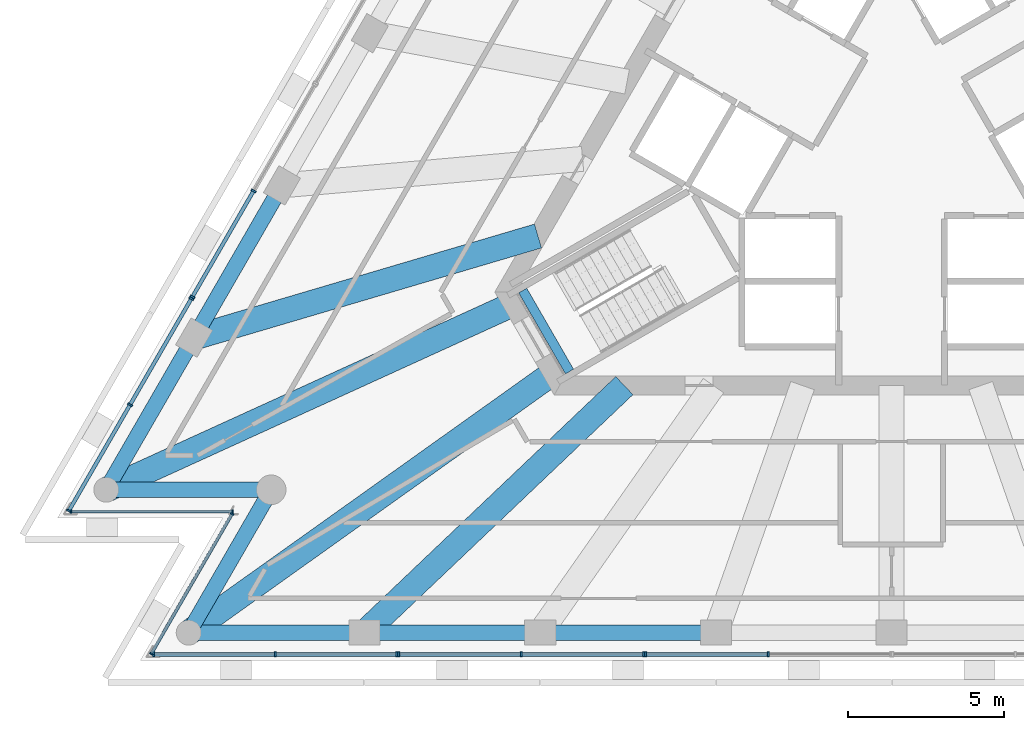
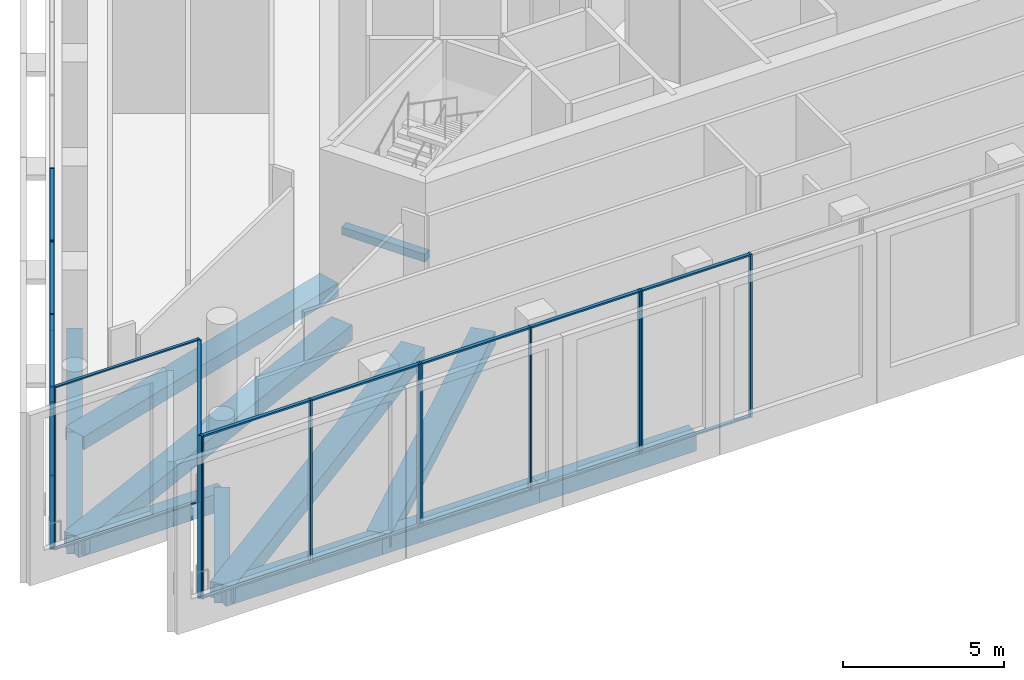
# One storey, part 2 of 16: 37 members, 12 beams, 7 elements without a shape of their own.
"""IFC4 building model written with IfcOpenShell, lengths in metres."""

from ifc_helpers import new_model, si_unit, direction, frame, origin, origin_2d, place, context, subcontext, project, spatial, rectangle, extrude, material, layer, layer_set, material_profile, profile_set, type_object, element, aggregate, save


model = new_model("IFC4")

# Units and contexts
model_context = context("Model", 3, precision=1e-05, world=origin(), true_north=direction((0.0, 1.0)))
body_context = subcontext(model_context, "Body", "Model", "MODEL_VIEW")
ifc_project = project(units=[si_unit("LENGTHUNIT", "METRE"), si_unit("AREAUNIT", "SQUARE_METRE"), si_unit("VOLUMEUNIT", "CUBIC_METRE"), si_unit("PLANEANGLEUNIT", "RADIAN"), si_unit("MASSUNIT", "GRAM", prefix="KILO")], contexts=[model_context])

# Site, building, storey
site_placement = place(None, origin())
site = spatial("IfcSite", under=ifc_project, at=site_placement, CompositionType="ELEMENT")
building_placement = place(site_placement, origin())
building = spatial("IfcBuilding", under=site, at=building_placement, Name="Triada Interchange Tower", CompositionType="ELEMENT")
storey_placement = place(building_placement, frame((0.0, 0.0, 261.800048828125)))
storey = spatial("IfcBuildingStorey", under=building, at=storey_placement, Name="L61", CompositionType="ELEMENT", Elevation=261.800048828125)

# Beam
ifc_material_1 = material(Name="Concrete C35/45", Category="concrete")
ifc_material_profile_1 = material_profile(ifc_material_1, rectangle(XDim=0.300048828125, YDim=0.300048828125, at=origin_2d()), Name="RC 300x300")
ifc_profile_set_1 = profile_set([ifc_material_profile_1], Name="Concrete C35/45")
beam_type_1 = type_object("IfcBeamType", Name="Landing support beam RC 300x300", PredefinedType="BEAM", material=ifc_profile_set_1)
beam_1_placement = place(storey_placement, frame((-11.8349609375, -5.10107421875, 2.82080078125), z_axis=(0.50002537861, -0.866010750942, 0.0), x_axis=(0.866010750942, 0.50002537861, 0.0)))
element("IfcBeam", 1, at=beam_1_placement, inside=storey, type_object=beam_type_1, Name="Landing support beam S61-2 1", PredefinedType="BEAM", context=body_context, shape_type="SweptSolid", body=[
    extrude(rectangle(XDim=0.300048828125, YDim=0.300048828125, at=origin_2d()), origin(), (0.0, 0.0, 1.0), 2.999755859375),
])

# Curtain wall, members
ifc_material_2 = material(Name="Aluminium framed glazing", Category="aluminium")
ifc_layer_1 = layer(ifc_material_2, 0.199951171875)
ifc_layer_set_1 = layer_set([ifc_layer_1], Name="Curtain wall Sky lobby glazing")
curtain_wall_type_1 = type_object("IfcCurtainWallType", Name="Curtain wall Sky lobby glazing", PredefinedType="NOTDEFINED", material=ifc_layer_set_1)
curtain_wall_1_placement = place(storey_placement, origin())
curtain_wall_1 = element("IfcCurtainWall", 2, at=curtain_wall_1_placement, inside=storey, type_object=curtain_wall_type_1, Name="Sky lobby glazing CW205 L61", PredefinedType="NOTDEFINED")
ifc_material_3 = material(Name="Aluminium", Category="aluminium")
ifc_material_profile_2 = material_profile(ifc_material_3, rectangle(XDim=0.159912109375, YDim=0.06005859375, at=origin_2d()), Name="Aluminium mullion")
ifc_profile_set_2 = profile_set([ifc_material_profile_2], Name="Aluminium")
member_type_1 = type_object("IfcMemberType", Name="Mullion Sky lobby glazing 160x60", PredefinedType="MULLION", material=ifc_profile_set_2)
member_1_placement = place(storey_placement, frame((-20.469482421875, -1.902099609375, 0.0), z_axis=(0.0, 0.0, 1.0), x_axis=(0.866080351938, -0.499904814926, 0.0)))
member_1 = element("IfcMember", 3, at=member_1_placement, type_object=member_type_1, Name="CW205 mullion 2", PredefinedType="MULLION", context=body_context, shape_type="SweptSolid", body=[
    extrude(rectangle(XDim=0.159912109375, YDim=0.06005859375, at=origin_2d()), origin(), (0.0, 0.0, 1.0), 6.199951171875),
])
member_2_placement = place(storey_placement, frame((-22.431884765625, -5.302001953125, 0.0), z_axis=(0.0, 0.0, 1.0), x_axis=(0.866080351938, -0.499904814926, 0.0)))
member_2 = element("IfcMember", 4, at=member_2_placement, type_object=member_type_1, Name="CW205 mullion 3", PredefinedType="MULLION", context=body_context, shape_type="SweptSolid", body=[
    extrude(rectangle(XDim=0.159912109375, YDim=0.06005859375, at=origin_2d()), origin(), (0.0, 0.0, 1.0), 6.199951171875),
])

curtain_wall_2_placement = place(storey_placement, origin())
curtain_wall_2 = element("IfcCurtainWall", 5, at=curtain_wall_2_placement, inside=storey, type_object=curtain_wall_type_1, Name="Sky lobby glazing CW206 L61", PredefinedType="NOTDEFINED")
member_3_placement = place(storey_placement, frame((-22.467041015625, -5.362060546875, 0.0), z_axis=(0.0, 0.0, 1.0), x_axis=(0.865987850767, -0.500065038095, 0.0)))
member_3 = element("IfcMember", 6, at=member_3_placement, type_object=member_type_1, Name="CW206 mullion 1", PredefinedType="MULLION", context=body_context, shape_type="SweptSolid", body=[
    extrude(rectangle(XDim=0.159912109375, YDim=0.06005859375, at=origin_2d()), origin(), (0.0, 0.0, 1.0), 6.199951171875),
])
member_4_placement = place(storey_placement, frame((-24.431396484375, -8.763916015625, 0.0), z_axis=(0.0, 0.0, 1.0), x_axis=(0.865987850767, -0.500065038095, 0.0)))
member_4 = element("IfcMember", 7, at=member_4_placement, type_object=member_type_1, Name="CW206 mullion 2", PredefinedType="MULLION", context=body_context, shape_type="SweptSolid", body=[
    extrude(rectangle(XDim=0.159912109375, YDim=0.06005859375, at=origin_2d()), origin(), (0.0, 0.0, 1.0), 6.199951171875),
])
member_5_placement = place(storey_placement, frame((-26.39599609375, -12.166015625, 0.0), z_axis=(0.0, 0.0, 1.0), x_axis=(0.865987850767, -0.500065038095, 0.0)))
member_5 = element("IfcMember", 8, at=member_5_placement, type_object=member_type_1, Name="CW206 mullion 3", PredefinedType="MULLION", context=body_context, shape_type="SweptSolid", body=[
    extrude(rectangle(XDim=0.159912109375, YDim=0.06005859375, at=origin_2d()), origin(), (0.0, 0.0, 1.0), 6.199951171875),
])

curtain_wall_3_placement = place(storey_placement, origin())
curtain_wall_3 = element("IfcCurtainWall", 9, at=curtain_wall_3_placement, inside=storey, type_object=curtain_wall_type_1, Name="Sky lobby glazing CW209 L61", PredefinedType="NOTDEFINED")
member_6_placement = place(storey_placement, frame((-23.675048828125, -16.77587890625, 0.0), z_axis=(0.0, 0.0, 1.0), x_axis=(0.0, 1.0, 0.0)))
member_6 = element("IfcMember", 10, at=member_6_placement, type_object=member_type_1, Name="CW209 mullion 1", PredefinedType="MULLION", context=body_context, shape_type="SweptSolid", body=[
    extrude(rectangle(XDim=0.159912109375, YDim=0.06005859375, at=origin_2d()), origin(), (0.0, 0.0, 1.0), 6.199951171875),
])
member_7_placement = place(storey_placement, frame((-19.776611328125, -16.77587890625, 0.0), z_axis=(0.0, 0.0, 1.0), x_axis=(0.0, 1.0, 0.0)))
member_7 = element("IfcMember", 11, at=member_7_placement, type_object=member_type_1, Name="CW209 mullion 2", PredefinedType="MULLION", context=body_context, shape_type="SweptSolid", body=[
    extrude(rectangle(XDim=0.159912109375, YDim=0.06005859375, at=origin_2d()), origin(), (0.0, 0.0, 1.0), 6.199951171875),
])
member_8_placement = place(storey_placement, frame((-15.8779296875, -16.77587890625, 0.0), z_axis=(0.0, 0.0, 1.0), x_axis=(0.0, 1.0, 0.0)))
member_8 = element("IfcMember", 12, at=member_8_placement, type_object=member_type_1, Name="CW209 mullion 3", PredefinedType="MULLION", context=body_context, shape_type="SweptSolid", body=[
    extrude(rectangle(XDim=0.159912109375, YDim=0.06005859375, at=origin_2d()), origin(), (0.0, 0.0, 1.0), 6.199951171875),
])

curtain_wall_4_placement = place(storey_placement, origin())
curtain_wall_4 = element("IfcCurtainWall", 13, at=curtain_wall_4_placement, inside=storey, type_object=curtain_wall_type_1, Name="Sky lobby glazing CW210 L61", PredefinedType="NOTDEFINED")
member_9_placement = place(storey_placement, frame((-15.80810546875, -16.77587890625, 0.0), z_axis=(0.0, 0.0, 1.0), x_axis=(0.0, 1.0, 0.0)))
member_9 = element("IfcMember", 14, at=member_9_placement, type_object=member_type_1, Name="CW210 mullion 1", PredefinedType="MULLION", context=body_context, shape_type="SweptSolid", body=[
    extrude(rectangle(XDim=0.159912109375, YDim=0.06005859375, at=origin_2d()), origin(), (0.0, 0.0, 1.0), 6.199951171875),
])
member_10_placement = place(storey_placement, frame((-11.882568359375, -16.77587890625, 0.0), z_axis=(0.0, 0.0, 1.0), x_axis=(0.0, 1.0, 0.0)))
member_10 = element("IfcMember", 15, at=member_10_placement, type_object=member_type_1, Name="CW210 mullion 2", PredefinedType="MULLION", context=body_context, shape_type="SweptSolid", body=[
    extrude(rectangle(XDim=0.159912109375, YDim=0.06005859375, at=origin_2d()), origin(), (0.0, 0.0, 1.0), 6.199951171875),
])
member_11_placement = place(storey_placement, frame((-7.95703125, -16.77587890625, 0.0), z_axis=(0.0, 0.0, 1.0), x_axis=(0.0, 1.0, 0.0)))
member_11 = element("IfcMember", 16, at=member_11_placement, type_object=member_type_1, Name="CW210 mullion 3", PredefinedType="MULLION", context=body_context, shape_type="SweptSolid", body=[
    extrude(rectangle(XDim=0.159912109375, YDim=0.06005859375, at=origin_2d()), origin(), (0.0, 0.0, 1.0), 6.199951171875),
])

curtain_wall_5_placement = place(storey_placement, origin())
curtain_wall_5 = element("IfcCurtainWall", 17, at=curtain_wall_5_placement, inside=storey, type_object=curtain_wall_type_1, Name="Sky lobby glazing CW211 L61", PredefinedType="NOTDEFINED")
member_12_placement = place(storey_placement, frame((-7.886962890625, -16.77587890625, 0.0), z_axis=(0.0, 0.0, 1.0), x_axis=(0.0, 1.0, 0.0)))
member_12 = element("IfcMember", 18, at=member_12_placement, type_object=member_type_1, Name="CW211 mullion 1", PredefinedType="MULLION", context=body_context, shape_type="SweptSolid", body=[
    extrude(rectangle(XDim=0.159912109375, YDim=0.06005859375, at=origin_2d()), origin(), (0.0, 0.0, 1.0), 6.199951171875),
])
member_13_placement = place(storey_placement, frame((-3.9609375, -16.77587890625, 0.0), z_axis=(0.0, 0.0, 1.0), x_axis=(0.0, 1.0, 0.0)))
member_13 = element("IfcMember", 19, at=member_13_placement, type_object=member_type_1, Name="CW211 mullion 2", PredefinedType="MULLION", context=body_context, shape_type="SweptSolid", body=[
    extrude(rectangle(XDim=0.159912109375, YDim=0.06005859375, at=origin_2d()), origin(), (0.0, 0.0, 1.0), 6.199951171875),
])

ifc_layer_2 = layer(ifc_material_2, 0.199951171875)
ifc_layer_set_2 = layer_set([ifc_layer_2], Name="Curtain wall Winter garden glazing")
curtain_wall_type_2 = type_object("IfcCurtainWallType", Name="Curtain wall Winter garden glazing", PredefinedType="NOTDEFINED", material=ifc_layer_set_2)
curtain_wall_6_placement = place(storey_placement, origin())
curtain_wall_6 = element("IfcCurtainWall", 20, at=curtain_wall_6_placement, inside=storey, type_object=curtain_wall_type_2, Name="Winter garden glazing CW207 L61", PredefinedType="NOTDEFINED")
ifc_material_profile_3 = material_profile(ifc_material_3, rectangle(XDim=0.1201171875, YDim=0.050048828125, at=origin_2d()), Name="Aluminium mullion")
ifc_profile_set_3 = profile_set([ifc_material_profile_3], Name="Aluminium")
member_type_2 = type_object("IfcMemberType", Name="Mullion Winter garden glazing 120x50", PredefinedType="MULLION", material=ifc_profile_set_3)
member_14_placement = place(storey_placement, frame((-26.325927734375, -12.19189453125, 0.0), z_axis=(0.0, 0.0, 1.0), x_axis=(0.0, 1.0, 0.0)))
member_14 = element("IfcMember", 21, at=member_14_placement, type_object=member_type_2, Name="CW207 mullion 1", PredefinedType="MULLION", context=body_context, shape_type="SweptSolid", body=[
    extrude(rectangle(XDim=0.1201171875, YDim=0.050048828125, at=origin_2d()), origin(), (0.0, 0.0, 1.0), 6.199951171875),
])
member_15_placement = place(storey_placement, frame((-21.14306640625, -12.19189453125, 0.0), z_axis=(0.0, 0.0, 1.0), x_axis=(0.0, 1.0, 0.0)))
member_15 = element("IfcMember", 22, at=member_15_placement, type_object=member_type_2, Name="CW207 mullion 2", PredefinedType="MULLION", context=body_context, shape_type="SweptSolid", body=[
    extrude(rectangle(XDim=0.1201171875, YDim=0.050048828125, at=origin_2d()), origin(), (0.0, 0.0, 1.0), 6.199951171875),
])

curtain_wall_7_placement = place(storey_placement, origin())
curtain_wall_7 = element("IfcCurtainWall", 23, at=curtain_wall_7_placement, inside=storey, type_object=curtain_wall_type_2, Name="Winter garden glazing CW208 L61", PredefinedType="NOTDEFINED")
member_16_placement = place(storey_placement, frame((-21.160400390625, -12.265625, 0.0), z_axis=(0.0, 0.0, 1.0), x_axis=(0.86598828527, -0.500064285642, 0.0)))
member_16 = element("IfcMember", 24, at=member_16_placement, type_object=member_type_2, Name="CW208 mullion 1", PredefinedType="MULLION", context=body_context, shape_type="SweptSolid", body=[
    extrude(rectangle(XDim=0.1201171875, YDim=0.050048828125, at=origin_2d()), origin(), (0.0, 0.0, 1.0), 6.199951171875),
])
member_17_placement = place(storey_placement, frame((-23.75244140625, -16.75439453125, 0.0), z_axis=(0.0, 0.0, 1.0), x_axis=(0.86598828527, -0.500064285642, 0.0)))
member_17 = element("IfcMember", 25, at=member_17_placement, type_object=member_type_2, Name="CW208 mullion 2", PredefinedType="MULLION", context=body_context, shape_type="SweptSolid", body=[
    extrude(rectangle(XDim=0.1201171875, YDim=0.050048828125, at=origin_2d()), origin(), (0.0, 0.0, 1.0), 6.199951171875),
])

# Beams
ifc_material_4 = material(Name="Concrete C50/60", Category="concrete")
ifc_material_profile_4 = material_profile(ifc_material_4, rectangle(XDim=0.800048828125, YDim=0.5, at=origin_2d()), Name="RC 800x500")
ifc_profile_set_4 = profile_set([ifc_material_profile_4], Name="Concrete C50/60")
beam_type_2 = type_object("IfcBeamType", Name="Radial band beam D RC 800x500", PredefinedType="BEAM", material=ifc_profile_set_4)
beam_2_placement = place(storey_placement, frame((-22.37890625, -6.610107421875, -0.550048828125), z_axis=(0.959041162781, 0.28326674371, 0.0), x_axis=(-0.28326674371, 0.959041162781, 0.0)))
element("IfcBeam", 26, at=beam_2_placement, inside=storey, type_object=beam_type_2, Name="Radial band beam BD08 L61", PredefinedType="BEAM", context=body_context, shape_type="SweptSolid", body=[
    extrude(rectangle(XDim=0.800048828125, YDim=0.5, at=origin_2d()), origin(), (0.0, 0.0, 1.0), 11.505126953125),
])
beam_3_placement = place(storey_placement, frame((-16.9140625, -16.075927734375, -0.550048828125), z_axis=(0.724831459907, 0.688926233155, 0.0), x_axis=(-0.688926233155, 0.724831459907, 0.0)))
element("IfcBeam", 27, at=beam_3_placement, inside=storey, type_object=beam_type_2, Name="Radial band beam BD12 L61", PredefinedType="BEAM", context=body_context, shape_type="SweptSolid", body=[
    extrude(rectangle(XDim=0.800048828125, YDim=0.5, at=origin_2d()), origin(), (0.0, 0.0, 1.0), 11.5048828125),
])
ifc_material_profile_5 = material_profile(ifc_material_4, rectangle(XDim=0.800048828125, YDim=0.60009765625, at=origin_2d()), Name="RC 800x600")
ifc_profile_set_5 = profile_set([ifc_material_profile_5], Name="Concrete C50/60")
beam_type_3 = type_object("IfcBeamType", Name="Radial band beam D RC 800x600", PredefinedType="BEAM", material=ifc_profile_set_5)
beam_4_placement = place(storey_placement, frame((-25.197998046875, -11.491943359375, -0.60009765625), z_axis=(0.909844882968, 0.414948537697, 0.0), x_axis=(-0.414948537697, 0.909844882968, 0.0)))
element("IfcBeam", 28, at=beam_4_placement, inside=storey, type_object=beam_type_3, Name="Radial band beam BD09 L61", PredefinedType="BEAM", context=body_context, shape_type="SweptSolid", body=[
    extrude(rectangle(XDim=0.800048828125, YDim=0.60009765625, at=origin_2d()), origin(), (0.0, 0.0, 1.0), 14.334228515625),
])
beam_5_placement = place(storey_placement, frame((-22.552001953125, -16.075927734375, -0.60009765625), z_axis=(0.814307345877, 0.580433929444, 0.0), x_axis=(-0.580433929444, 0.814307345877, 0.0)))
element("IfcBeam", 29, at=beam_5_placement, inside=storey, type_object=beam_type_3, Name="Radial band beam BD11 L61", PredefinedType="BEAM", context=body_context, shape_type="SweptSolid", body=[
    extrude(rectangle(XDim=0.800048828125, YDim=0.60009765625, at=origin_2d()), origin(), (0.0, 0.0, 1.0), 14.333740234375),
])
ifc_material_profile_6 = material_profile(ifc_material_4, rectangle(XDim=0.5, YDim=0.699951171875, at=origin_2d()), Name="RC 500x700")
ifc_profile_set_6 = profile_set([ifc_material_profile_6], Name="Concrete C50/60")
beam_type_4 = type_object("IfcBeamType", Name="Spandrel beam D RC 500x700", PredefinedType="BEAM", material=ifc_profile_set_6)
beam_6_placement = place(storey_placement, frame((-19.56005859375, -1.72705078125, -0.650146484375), z_axis=(-0.499948599132, -0.866055078056, 0.0), x_axis=(0.866055078056, -0.499948599132, 0.0)))
element("IfcBeam", 30, at=beam_6_placement, inside=storey, type_object=beam_type_4, Name="Spandrel beam ED07 L61", PredefinedType="BEAM", context=body_context, shape_type="SweptSolid", body=[
    extrude(rectangle(XDim=0.5, YDim=0.699951171875, at=origin_2d()), origin(), (0.0, 0.0, 1.0), 5.63818359375),
])
beam_7_placement = place(storey_placement, frame((-22.37890625, -6.610107421875, -0.650146484375), z_axis=(-0.500074834523, -0.865982193741, 0.0), x_axis=(0.865982193741, -0.500074834523, 0.0)))
element("IfcBeam", 31, at=beam_7_placement, inside=storey, type_object=beam_type_4, Name="Spandrel beam ED08 L61", PredefinedType="BEAM", context=body_context, shape_type="SweptSolid", body=[
    extrude(rectangle(XDim=0.5, YDim=0.699951171875, at=origin_2d()), origin(), (0.0, 0.0, 1.0), 5.637451171875),
])
beam_8_placement = place(storey_placement, frame((-25.197998046875, -11.491943359375, -0.650146484375), z_axis=(1.0, 0.0, 0.0), x_axis=(0.0, 1.0, 0.0)))
element("IfcBeam", 32, at=beam_8_placement, inside=storey, type_object=beam_type_4, Name="Spandrel beam ED09 L61", PredefinedType="BEAM", context=body_context, shape_type="SweptSolid", body=[
    extrude(rectangle(XDim=0.5, YDim=0.699951171875, at=origin_2d()), origin(), (0.0, 0.0, 1.0), 5.29296875),
])
beam_9_placement = place(storey_placement, frame((-19.905029296875, -11.491943359375, -0.650146484375), z_axis=(-0.500057813598, -0.865992022515, 0.0), x_axis=(0.865992022515, -0.500057813598, 0.0)))
element("IfcBeam", 33, at=beam_9_placement, inside=storey, type_object=beam_type_4, Name="Spandrel beam ED10 L61", PredefinedType="BEAM", context=body_context, shape_type="SweptSolid", body=[
    extrude(rectangle(XDim=0.5, YDim=0.699951171875, at=origin_2d()), origin(), (0.0, 0.0, 1.0), 5.293212890625),
])
beam_10_placement = place(storey_placement, frame((-22.552001953125, -16.075927734375, -0.650146484375), z_axis=(1.0, 0.0, 0.0), x_axis=(0.0, 1.0, 0.0)))
element("IfcBeam", 34, at=beam_10_placement, inside=storey, type_object=beam_type_4, Name="Spandrel beam ED11 L61", PredefinedType="BEAM", context=body_context, shape_type="SweptSolid", body=[
    extrude(rectangle(XDim=0.5, YDim=0.699951171875, at=origin_2d()), origin(), (0.0, 0.0, 1.0), 5.637939453125),
])
beam_11_placement = place(storey_placement, frame((-16.9140625, -16.075927734375, -0.650146484375), z_axis=(1.0, 0.0, 0.0), x_axis=(0.0, 1.0, 0.0)))
element("IfcBeam", 35, at=beam_11_placement, inside=storey, type_object=beam_type_4, Name="Spandrel beam ED12 L61", PredefinedType="BEAM", context=body_context, shape_type="SweptSolid", body=[
    extrude(rectangle(XDim=0.5, YDim=0.699951171875, at=origin_2d()), origin(), (0.0, 0.0, 1.0), 5.63818359375),
])
beam_12_placement = place(storey_placement, frame((-11.27587890625, -16.075927734375, -0.650146484375), z_axis=(1.0, 0.0, 0.0), x_axis=(0.0, 1.0, 0.0)))
element("IfcBeam", 36, at=beam_12_placement, inside=storey, type_object=beam_type_4, Name="Spandrel beam ED13 L61", PredefinedType="BEAM", context=body_context, shape_type="SweptSolid", body=[
    extrude(rectangle(XDim=0.5, YDim=0.699951171875, at=origin_2d()), origin(), (0.0, 0.0, 1.0), 5.637939453125),
])

# Member
ifc_material_profile_7 = material_profile(ifc_material_3, rectangle(XDim=0.1201171875, YDim=0.06005859375, at=origin_2d()), Name="Aluminium transom")
ifc_profile_set_7 = profile_set([ifc_material_profile_7], Name="Aluminium")
member_type_3 = type_object("IfcMemberType", Name="Transom Sky lobby glazing 120x60", PredefinedType="USERDEFINED", material=ifc_profile_set_7)
member_18_placement = place(storey_placement, frame((-20.484619140625, -1.927978515625, 0.030029296875), z_axis=(-0.499868241592, -0.866101461174, 0.0), x_axis=(0.866101461174, -0.499868241592, 0.0)))
member_18 = element("IfcMember", 37, at=member_18_placement, type_object=member_type_3, Name="CW205 transom 2.1", ObjectType="TRANSOM", PredefinedType="USERDEFINED", context=body_context, shape_type="SweptSolid", body=[
    extrude(rectangle(XDim=0.1201171875, YDim=0.06005859375, at=origin_2d()), origin(), (0.0, 0.0, 1.0), 3.86572265625),
])

member_19_placement = place(storey_placement, frame((-20.484619140625, -1.927978515625, 6.169921875), z_axis=(-0.499868241592, -0.866101461174, 0.0), x_axis=(0.866101461174, -0.499868241592, 0.0)))
member_19 = element("IfcMember", 38, at=member_19_placement, type_object=member_type_3, Name="CW205 transom 2.2", ObjectType="TRANSOM", PredefinedType="USERDEFINED", context=body_context, shape_type="SweptSolid", body=[
    extrude(rectangle(XDim=0.1201171875, YDim=0.06005859375, at=origin_2d()), origin(), (0.0, 0.0, 1.0), 3.86572265625),
])

aggregate(curtain_wall_1, [member_1, member_2, member_18, member_19])

member_20_placement = place(storey_placement, frame((-22.48193359375, -5.387939453125, 0.030029296875), z_axis=(-0.500075710248, -0.86598168804, 0.0), x_axis=(0.86598168804, -0.500075710248, 0.0)))
member_20 = element("IfcMember", 39, at=member_20_placement, type_object=member_type_3, Name="CW206 transom 1.1", ObjectType="TRANSOM", PredefinedType="USERDEFINED", context=body_context, shape_type="SweptSolid", body=[
    extrude(rectangle(XDim=0.1201171875, YDim=0.06005859375, at=origin_2d()), origin(), (0.0, 0.0, 1.0), 3.86865234375),
])

member_21_placement = place(storey_placement, frame((-22.48193359375, -5.387939453125, 6.169921875), z_axis=(-0.500075710248, -0.86598168804, 0.0), x_axis=(0.86598168804, -0.500075710248, 0.0)))
member_21 = element("IfcMember", 40, at=member_21_placement, type_object=member_type_3, Name="CW206 transom 1.2", ObjectType="TRANSOM", PredefinedType="USERDEFINED", context=body_context, shape_type="SweptSolid", body=[
    extrude(rectangle(XDim=0.1201171875, YDim=0.06005859375, at=origin_2d()), origin(), (0.0, 0.0, 1.0), 3.86865234375),
])

member_22_placement = place(storey_placement, frame((-24.446533203125, -8.7900390625, 0.030029296875), z_axis=(-0.500075710248, -0.86598168804, 0.0), x_axis=(0.86598168804, -0.500075710248, 0.0)))
member_22 = element("IfcMember", 41, at=member_22_placement, type_object=member_type_3, Name="CW206 transom 2.1", ObjectType="TRANSOM", PredefinedType="USERDEFINED", context=body_context, shape_type="SweptSolid", body=[
    extrude(rectangle(XDim=0.1201171875, YDim=0.06005859375, at=origin_2d()), origin(), (0.0, 0.0, 1.0), 3.86865234375),
])

member_23_placement = place(storey_placement, frame((-24.446533203125, -8.7900390625, 6.169921875), z_axis=(-0.500075710248, -0.86598168804, 0.0), x_axis=(0.86598168804, -0.500075710248, 0.0)))
member_23 = element("IfcMember", 42, at=member_23_placement, type_object=member_type_3, Name="CW206 transom 2.2", ObjectType="TRANSOM", PredefinedType="USERDEFINED", context=body_context, shape_type="SweptSolid", body=[
    extrude(rectangle(XDim=0.1201171875, YDim=0.06005859375, at=origin_2d()), origin(), (0.0, 0.0, 1.0), 3.86865234375),
])

aggregate(curtain_wall_2, [member_3, member_4, member_5, member_20, member_21, member_22, member_23])

member_24_placement = place(storey_placement, frame((-23.64501953125, -16.77587890625, 0.030029296875), z_axis=(1.0, 0.0, 0.0), x_axis=(0.0, 1.0, 0.0)))
member_24 = element("IfcMember", 43, at=member_24_placement, type_object=member_type_3, Name="CW209 transom 1.1", ObjectType="TRANSOM", PredefinedType="USERDEFINED", context=body_context, shape_type="SweptSolid", body=[
    extrude(rectangle(XDim=0.1201171875, YDim=0.06005859375, at=origin_2d()), origin(), (0.0, 0.0, 1.0), 3.838623046875),
])

member_25_placement = place(storey_placement, frame((-23.64501953125, -16.77587890625, 6.169921875), z_axis=(1.0, 0.0, 0.0), x_axis=(0.0, 1.0, 0.0)))
member_25 = element("IfcMember", 44, at=member_25_placement, type_object=member_type_3, Name="CW209 transom 1.2", ObjectType="TRANSOM", PredefinedType="USERDEFINED", context=body_context, shape_type="SweptSolid", body=[
    extrude(rectangle(XDim=0.1201171875, YDim=0.06005859375, at=origin_2d()), origin(), (0.0, 0.0, 1.0), 3.838623046875),
])

member_26_placement = place(storey_placement, frame((-19.74658203125, -16.77587890625, 0.030029296875), z_axis=(1.0, 0.0, 0.0), x_axis=(0.0, 1.0, 0.0)))
member_26 = element("IfcMember", 45, at=member_26_placement, type_object=member_type_3, Name="CW209 transom 2.1", ObjectType="TRANSOM", PredefinedType="USERDEFINED", context=body_context, shape_type="SweptSolid", body=[
    extrude(rectangle(XDim=0.1201171875, YDim=0.06005859375, at=origin_2d()), origin(), (0.0, 0.0, 1.0), 3.838623046875),
])

member_27_placement = place(storey_placement, frame((-19.74658203125, -16.77587890625, 6.169921875), z_axis=(1.0, 0.0, 0.0), x_axis=(0.0, 1.0, 0.0)))
member_27 = element("IfcMember", 46, at=member_27_placement, type_object=member_type_3, Name="CW209 transom 2.2", ObjectType="TRANSOM", PredefinedType="USERDEFINED", context=body_context, shape_type="SweptSolid", body=[
    extrude(rectangle(XDim=0.1201171875, YDim=0.06005859375, at=origin_2d()), origin(), (0.0, 0.0, 1.0), 3.838623046875),
])

aggregate(curtain_wall_3, [member_6, member_7, member_8, member_24, member_25, member_26, member_27])

member_28_placement = place(storey_placement, frame((-15.778076171875, -16.77587890625, 0.030029296875), z_axis=(1.0, 0.0, 0.0), x_axis=(0.0, 1.0, 0.0)))
member_28 = element("IfcMember", 47, at=member_28_placement, type_object=member_type_3, Name="CW210 transom 1.1", ObjectType="TRANSOM", PredefinedType="USERDEFINED", context=body_context, shape_type="SweptSolid", body=[
    extrude(rectangle(XDim=0.1201171875, YDim=0.06005859375, at=origin_2d()), origin(), (0.0, 0.0, 1.0), 3.865478515625),
])

member_29_placement = place(storey_placement, frame((-15.778076171875, -16.77587890625, 6.169921875), z_axis=(1.0, 0.0, 0.0), x_axis=(0.0, 1.0, 0.0)))
member_29 = element("IfcMember", 48, at=member_29_placement, type_object=member_type_3, Name="CW210 transom 1.2", ObjectType="TRANSOM", PredefinedType="USERDEFINED", context=body_context, shape_type="SweptSolid", body=[
    extrude(rectangle(XDim=0.1201171875, YDim=0.06005859375, at=origin_2d()), origin(), (0.0, 0.0, 1.0), 3.865478515625),
])

member_30_placement = place(storey_placement, frame((-11.8525390625, -16.77587890625, 0.030029296875), z_axis=(1.0, 0.0, 0.0), x_axis=(0.0, 1.0, 0.0)))
member_30 = element("IfcMember", 49, at=member_30_placement, type_object=member_type_3, Name="CW210 transom 2.1", ObjectType="TRANSOM", PredefinedType="USERDEFINED", context=body_context, shape_type="SweptSolid", body=[
    extrude(rectangle(XDim=0.1201171875, YDim=0.06005859375, at=origin_2d()), origin(), (0.0, 0.0, 1.0), 3.865478515625),
])

member_31_placement = place(storey_placement, frame((-11.8525390625, -16.77587890625, 6.169921875), z_axis=(1.0, 0.0, 0.0), x_axis=(0.0, 1.0, 0.0)))
member_31 = element("IfcMember", 50, at=member_31_placement, type_object=member_type_3, Name="CW210 transom 2.2", ObjectType="TRANSOM", PredefinedType="USERDEFINED", context=body_context, shape_type="SweptSolid", body=[
    extrude(rectangle(XDim=0.1201171875, YDim=0.06005859375, at=origin_2d()), origin(), (0.0, 0.0, 1.0), 3.865478515625),
])

aggregate(curtain_wall_4, [member_9, member_10, member_11, member_28, member_29, member_30, member_31])

member_32_placement = place(storey_placement, frame((-7.85693359375, -16.77587890625, 0.030029296875), z_axis=(1.0, 0.0, 0.0), x_axis=(0.0, 1.0, 0.0)))
member_32 = element("IfcMember", 51, at=member_32_placement, type_object=member_type_3, Name="CW211 transom 1.1", ObjectType="TRANSOM", PredefinedType="USERDEFINED", context=body_context, shape_type="SweptSolid", body=[
    extrude(rectangle(XDim=0.1201171875, YDim=0.06005859375, at=origin_2d()), origin(), (0.0, 0.0, 1.0), 3.865966796875),
])

member_33_placement = place(storey_placement, frame((-7.85693359375, -16.77587890625, 6.169921875), z_axis=(1.0, 0.0, 0.0), x_axis=(0.0, 1.0, 0.0)))
member_33 = element("IfcMember", 52, at=member_33_placement, type_object=member_type_3, Name="CW211 transom 1.2", ObjectType="TRANSOM", PredefinedType="USERDEFINED", context=body_context, shape_type="SweptSolid", body=[
    extrude(rectangle(XDim=0.1201171875, YDim=0.06005859375, at=origin_2d()), origin(), (0.0, 0.0, 1.0), 3.865966796875),
])

aggregate(curtain_wall_5, [member_12, member_13, member_32, member_33])

ifc_material_profile_8 = material_profile(ifc_material_3, rectangle(XDim=0.10009765625, YDim=0.050048828125, at=origin_2d()), Name="Aluminium transom")
ifc_profile_set_8 = profile_set([ifc_material_profile_8], Name="Aluminium")
member_type_4 = type_object("IfcMemberType", Name="Transom Winter garden glazing 100x50", PredefinedType="USERDEFINED", material=ifc_profile_set_8)
member_34_placement = place(storey_placement, frame((-26.301025390625, -12.19189453125, 0.02490234375), z_axis=(1.0, 0.0, 0.0), x_axis=(0.0, 1.0, 0.0)))
member_34 = element("IfcMember", 53, at=member_34_placement, type_object=member_type_4, Name="CW207 transom 1.1", ObjectType="TRANSOM", PredefinedType="USERDEFINED", context=body_context, shape_type="SweptSolid", body=[
    extrude(rectangle(XDim=0.10009765625, YDim=0.050048828125, at=origin_2d()), origin(), (0.0, 0.0, 1.0), 5.133056640625),
])

member_35_placement = place(storey_placement, frame((-26.301025390625, -12.19189453125, 6.175048828125), z_axis=(1.0, 0.0, 0.0), x_axis=(0.0, 1.0, 0.0)))
member_35 = element("IfcMember", 54, at=member_35_placement, type_object=member_type_4, Name="CW207 transom 1.2", ObjectType="TRANSOM", PredefinedType="USERDEFINED", context=body_context, shape_type="SweptSolid", body=[
    extrude(rectangle(XDim=0.10009765625, YDim=0.050048828125, at=origin_2d()), origin(), (0.0, 0.0, 1.0), 5.133056640625),
])

aggregate(curtain_wall_6, [member_14, member_15, member_34, member_35])

member_36_placement = place(storey_placement, frame((-21.173095703125, -12.287353515625, 0.02490234375), z_axis=(-0.500057296889, -0.865992320883, 0.0), x_axis=(0.865992320883, -0.500057296889, 0.0)))
member_36 = element("IfcMember", 55, at=member_36_placement, type_object=member_type_4, Name="CW208 transom 1.1", ObjectType="TRANSOM", PredefinedType="USERDEFINED", context=body_context, shape_type="SweptSolid", body=[
    extrude(rectangle(XDim=0.10009765625, YDim=0.050048828125, at=origin_2d()), origin(), (0.0, 0.0, 1.0), 5.13330078125),
])

member_37_placement = place(storey_placement, frame((-21.173095703125, -12.287353515625, 6.175048828125), z_axis=(-0.500057296889, -0.865992320883, 0.0), x_axis=(0.865992320883, -0.500057296889, 0.0)))
member_37 = element("IfcMember", 56, at=member_37_placement, type_object=member_type_4, Name="CW208 transom 1.2", ObjectType="TRANSOM", PredefinedType="USERDEFINED", context=body_context, shape_type="SweptSolid", body=[
    extrude(rectangle(XDim=0.10009765625, YDim=0.050048828125, at=origin_2d()), origin(), (0.0, 0.0, 1.0), 5.13330078125),
])

aggregate(curtain_wall_7, [member_16, member_17, member_36, member_37])

save(model, "model.ifc")
